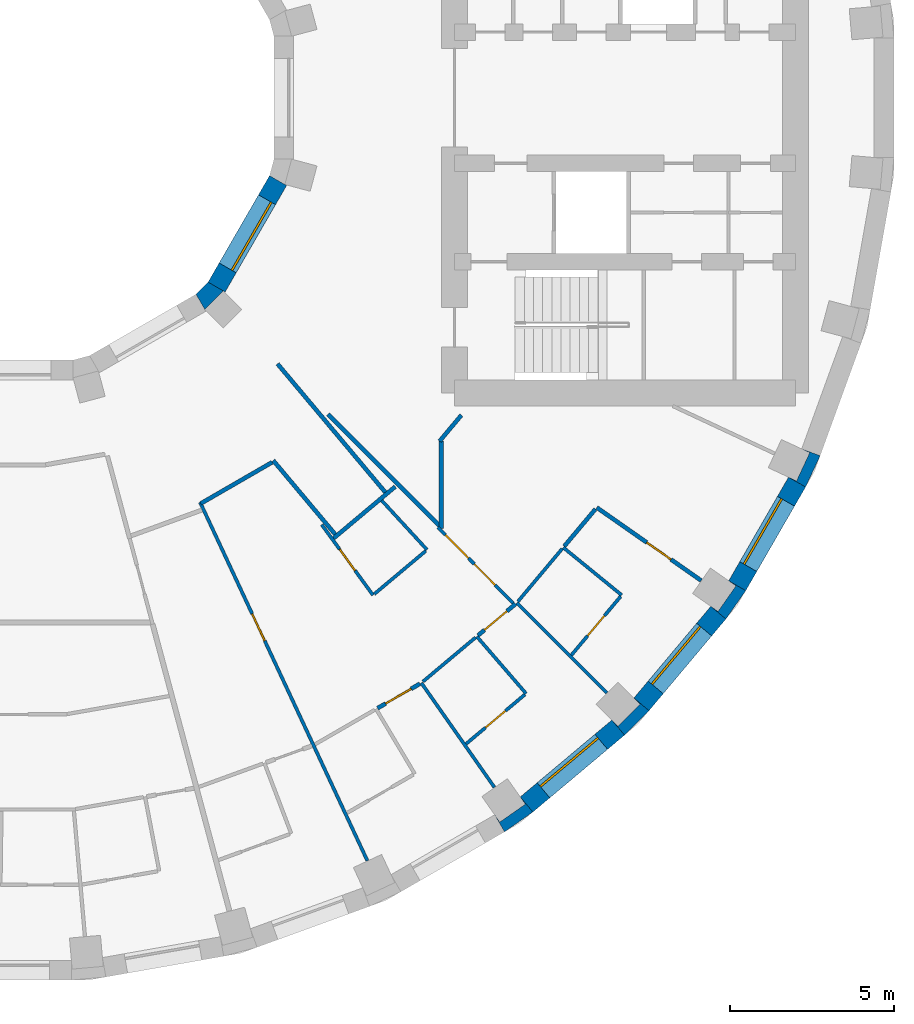
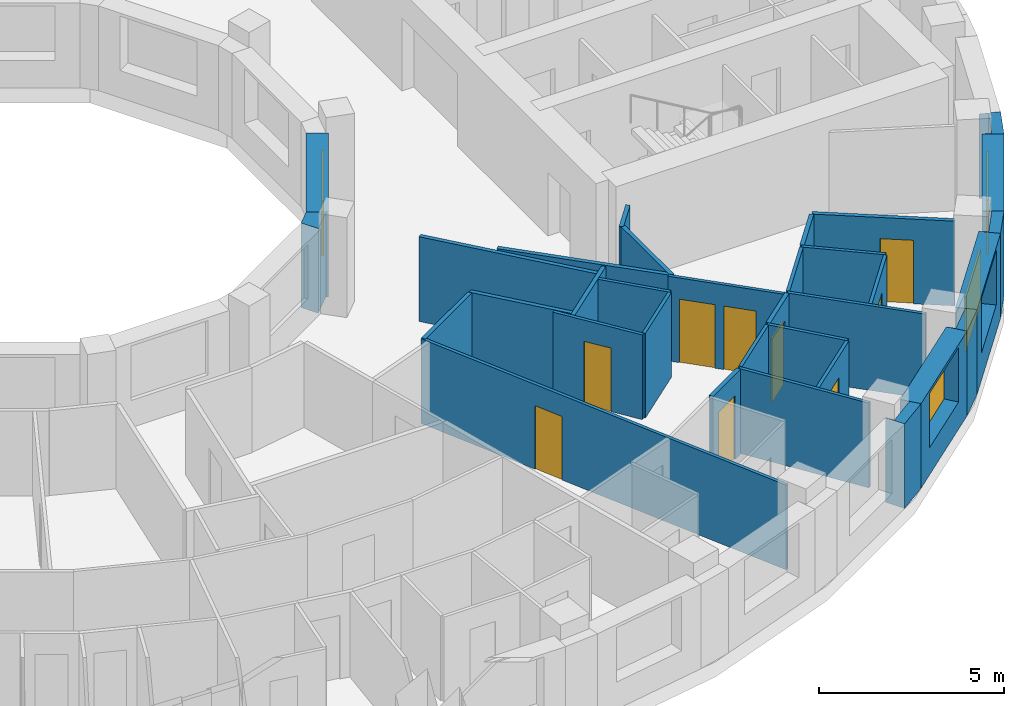
# One storey, part 8 of 16: 33 walls, 9 doors, 4 windows, 13 openings.
"""IFC4 building model written with IfcOpenShell, lengths in metres."""

from ifc_helpers import new_model, si_unit, direction, frame, frame_2d, origin, place, context, subcontext, project, spatial, polyline, rectangle, outline, extrude, material, layer, layer_set, type_object, element, fill, save


model = new_model("IFC4")

# Units and contexts
model_context = context("Model", 3, precision=1e-05, world=origin(), true_north=direction((0.0, 1.0)))
body_context = subcontext(model_context, "Body", "Model", "MODEL_VIEW")
ifc_project = project(units=[si_unit("LENGTHUNIT", "METRE"), si_unit("AREAUNIT", "SQUARE_METRE"), si_unit("VOLUMEUNIT", "CUBIC_METRE"), si_unit("PLANEANGLEUNIT", "RADIAN"), si_unit("MASSUNIT", "GRAM", prefix="KILO")], contexts=[model_context])

# Site, building, storey
site_placement = place(None, origin())
site = spatial("IfcSite", under=ifc_project, at=site_placement, CompositionType="ELEMENT")
building_placement = place(site_placement, origin())
building = spatial("IfcBuilding", under=site, at=building_placement, Name="Saqina Gate Tower", CompositionType="ELEMENT")
storey_placement = place(building_placement, frame((0.0, 0.0, 124.89990234375)))
storey = spatial("IfcBuildingStorey", under=building, at=storey_placement, Name="L35", CompositionType="ELEMENT", Elevation=124.89990234375)

# Walls
ifc_material_1 = material(Name="Brick masonry (buff)", Category="masonry")
wall_type_1 = type_object("IfcWallType", Name="BRICK PIER COPING BUFF", PredefinedType="SOLIDWALL", material=ifc_material_1)
wall_1_placement = place(storey_placement, origin())
element("IfcWall", 1, at=wall_1_placement, inside=storey, type_object=wall_type_1, Name="Pier cap L35 column 31", PredefinedType="SOLIDWALL", context=body_context, shape_type="SweptSolid", body=[
    extrude(outline(polyline([(15.89208984375, -21.77685546875), (15.50634765625, -21.317138671875), (15.66064453125, -21.53759765625), (14.88232421875, -22.08251953125), (14.728271484375, -21.862060546875), (15.0283203125, -22.3818359375), (15.89208984375, -21.77685546875)])), origin(), (0.0, 0.0, 1.0), 2.800048828125),
])
wall_2_placement = place(storey_placement, origin())
element("IfcWall", 2, at=wall_2_placement, inside=storey, type_object=wall_type_1, Name="Pier cap L35 column 32", PredefinedType="SOLIDWALL", context=body_context, shape_type="SweptSolid", body=[
    extrude(outline(polyline([(18.686279296875, -19.43212890625), (19.43212890625, -18.686279296875), (18.972412109375, -18.30078125), (19.16259765625, -18.49072265625), (18.49072265625, -19.16259765625), (18.30078125, -18.972412109375), (18.686279296875, -19.43212890625)])), origin(), (0.0, 0.0, 1.0), 2.800048828125),
])
wall_3_placement = place(storey_placement, origin())
element("IfcWall", 3, at=wall_3_placement, inside=storey, type_object=wall_type_1, Name="Pier cap L35 column 33", PredefinedType="SOLIDWALL", context=body_context, shape_type="SweptSolid", body=[
    extrude(outline(polyline([(22.3818359375, -15.0283203125), (21.862060546875, -14.728271484375), (22.08251953125, -14.88232421875), (21.53759765625, -15.66064453125), (21.317138671875, -15.50634765625), (21.77685546875, -15.89208984375), (22.3818359375, -15.0283203125)])), origin(), (0.0, 0.0, 1.0), 2.800048828125),
])
wall_4_placement = place(storey_placement, origin())
element("IfcWall", 4, at=wall_4_placement, inside=storey, type_object=wall_type_1, Name="Pier cap L35 column 34", PredefinedType="SOLIDWALL", context=body_context, shape_type="SweptSolid", body=[
    extrude(outline(polyline([(24.6513671875, -10.913330078125), (24.08740234375, -10.7080078125), (24.331298828125, -10.82177734375), (23.9296875, -11.6826171875), (23.68603515625, -11.569091796875), (24.205810546875, -11.869140625), (24.6513671875, -10.913330078125)])), origin(), (0.0, 0.0, 1.0), 2.800048828125),
])

# Wall, opening, window
ifc_material_2 = material(Name="Brick masonry (buff)", Category="masonry")
ifc_layer_1 = layer(ifc_material_2, 0.60009765625)
ifc_layer_set_1 = layer_set([ifc_layer_1], Name="FW-BRICK-BUFF")
wall_type_2 = type_object("IfcWallType", Name="FW-BRICK-BUFF", PredefinedType="SOLIDWALL", material=ifc_layer_set_1)
wall_5_placement = place(storey_placement, frame((15.69921875, -21.547119140625, 0.0), z_axis=(0.0, 0.0, 1.0), x_axis=(0.766055462616, 0.642774476932, 0.0)))
wall_5 = element("IfcWall", 5, at=wall_5_placement, inside=storey, type_object=wall_type_2, Name="Facade wall L35 facet 31", PredefinedType="SOLIDWALL", context=body_context, shape_type="SweptSolid", body=[
    extrude(rectangle(XDim=3.647705078125, YDim=0.60009765625, at=frame_2d((1.82373046875, 0.0))), origin(), (0.0, 0.0, 1.0), 2.800048828125),
])
opening_1_placement = place(wall_5_placement, frame((0.673828125, 0.0, 0.89990234375)))
opening_1 = element("IfcOpeningElement", 6, at=opening_1_placement, cuts=wall_5, Name="Opening G10-W20", PredefinedType="OPENING", context=body_context, shape_type="SweptSolid", body=[
    extrude(rectangle(XDim=2.300048828125, YDim=1.800048828125, at=frame_2d((1.14990234375, 0.89990234375))), frame((0.0, 0.31201171875, 0.0), z_axis=(0.0, -1.0, 0.0), x_axis=(1.0, 0.0, 0.0)), (0.0, 0.0, 1.0), 0.6240234375),
])
ifc_material_3 = material(Name="Aluminium glazing", Category="aluminium")
window_type_1 = type_object("IfcWindowType", Name="WN-B", PartitioningType="SINGLE_PANEL", PredefinedType="WINDOW", material=ifc_material_3)
window_1_placement = place(opening_1_placement, origin())
window_1 = element("IfcWindow", 7, at=window_1_placement, inside=storey, type_object=window_type_1, Name="Window L35 facet 31", OverallHeight=1.800048828125, OverallWidth=2.300048828125, PartitioningType="SINGLE_PANEL", PredefinedType="WINDOW", context=body_context, shape_type="SweptSolid", body=[
    extrude(rectangle(XDim=2.300048828125, YDim=1.800048828125, at=frame_2d((1.14990234375, 0.89990234375))), frame((0.0, 0.179931640625, 0.0), z_axis=(0.0, -1.0, 0.0), x_axis=(1.0, 0.0, 0.0)), (0.0, 0.0, 1.0), 0.06005859375),
])
fill(opening_1, window_1)

wall_6_placement = place(storey_placement, frame((19.202392578125, -18.49365234375, 0.0), z_axis=(0.0, 0.0, 1.0), x_axis=(0.642774476932, 0.766055462616, 0.0)))
wall_6 = element("IfcWall", 8, at=wall_6_placement, inside=storey, type_object=wall_type_2, Name="Facade wall L35 facet 32", PredefinedType="SOLIDWALL", context=body_context, shape_type="SweptSolid", body=[
    extrude(rectangle(XDim=3.647705078125, YDim=0.60009765625, at=frame_2d((1.82373046875, 0.0))), origin(), (0.0, 0.0, 1.0), 2.800048828125),
])
opening_2_placement = place(wall_6_placement, frame((0.673828125, 0.0, 0.89990234375)))
opening_2 = element("IfcOpeningElement", 9, at=opening_2_placement, cuts=wall_6, Name="Opening G10-W21", PredefinedType="OPENING", context=body_context, shape_type="SweptSolid", body=[
    extrude(rectangle(XDim=2.300048828125, YDim=1.800048828125, at=frame_2d((1.14990234375, 0.89990234375))), frame((0.0, 0.31201171875, 0.0), z_axis=(0.0, -1.0, 0.0), x_axis=(1.0, 0.0, 0.0)), (0.0, 0.0, 1.0), 0.6240234375),
])
window_2_placement = place(opening_2_placement, origin())
window_2 = element("IfcWindow", 10, at=window_2_placement, inside=storey, type_object=window_type_1, Name="Window L35 facet 32", OverallHeight=1.800048828125, OverallWidth=2.300048828125, PartitioningType="SINGLE_PANEL", PredefinedType="WINDOW", context=body_context, shape_type="SweptSolid", body=[
    extrude(rectangle(XDim=2.300048828125, YDim=1.800048828125, at=frame_2d((1.14990234375, 0.89990234375))), frame((0.0, 0.179931640625, 0.0), z_axis=(0.0, -1.0, 0.0), x_axis=(1.0, 0.0, 0.0)), (0.0, 0.0, 1.0), 0.06005859375),
])
fill(opening_2, window_2)

wall_7_placement = place(storey_placement, frame((22.1220703125, -14.878173828125, 0.0), z_axis=(0.0, 0.0, 1.0), x_axis=(0.499954196102, 0.866051847062, 0.0)))
wall_7 = element("IfcWall", 11, at=wall_7_placement, inside=storey, type_object=wall_type_2, Name="Facade wall L35 facet 33", PredefinedType="SOLIDWALL", context=body_context, shape_type="SweptSolid", body=[
    extrude(rectangle(XDim=3.647705078125, YDim=0.60009765625, at=frame_2d((1.82373046875, 0.0))), origin(), (0.0, 0.0, 1.0), 2.800048828125),
])
opening_3_placement = place(wall_7_placement, frame((0.673828125, 0.0, 0.89990234375)))
opening_3 = element("IfcOpeningElement", 12, at=opening_3_placement, cuts=wall_7, Name="Opening G10-W22", PredefinedType="OPENING", context=body_context, shape_type="SweptSolid", body=[
    extrude(rectangle(XDim=2.300048828125, YDim=1.800048828125, at=frame_2d((1.14990234375, 0.89990234375))), frame((0.0, 0.31201171875, 0.0), z_axis=(0.0, -1.0, 0.0), x_axis=(1.0, 0.0, 0.0)), (0.0, 0.0, 1.0), 0.6240234375),
])
window_3_placement = place(opening_3_placement, origin())
window_3 = element("IfcWindow", 13, at=window_3_placement, inside=storey, type_object=window_type_1, Name="Window L35 facet 33", OverallHeight=1.800048828125, OverallWidth=2.300048828125, PartitioningType="SINGLE_PANEL", PredefinedType="WINDOW", context=body_context, shape_type="SweptSolid", body=[
    extrude(rectangle(XDim=2.300048828125, YDim=1.800048828125, at=frame_2d((1.14990234375, 0.89990234375))), frame((0.0, 0.179931640625, 0.0), z_axis=(0.0, -1.0, 0.0), x_axis=(1.0, 0.0, 0.0)), (0.0, 0.0, 1.0), 0.06005859375),
])
fill(opening_3, window_3)

ifc_material_4 = material(Name="Glazed ceramic tile", Category="ceramic")
ifc_layer_2 = layer(ifc_material_4, 0.60009765625)
ifc_layer_set_2 = layer_set([ifc_layer_2], Name="IW-TILE")
wall_type_3 = type_object("IfcWallType", Name="IW-TILE", PredefinedType="SOLIDWALL", material=ifc_layer_set_2)
wall_8_placement = place(storey_placement, frame((6.251220703125, -5.772705078125, 0.0), z_axis=(0.0, 0.0, 1.0), x_axis=(0.499964958637, 0.86604563398, 0.0)))
wall_8 = element("IfcWall", 14, at=wall_8_placement, inside=storey, type_object=wall_type_3, Name="Well wall L35 facet 11", PredefinedType="SOLIDWALL", context=body_context, shape_type="SweptSolid", body=[
    extrude(rectangle(XDim=3.747314453125, YDim=0.60009765625, at=frame_2d((1.87353515625, 0.0))), origin(), (0.0, 0.0, 1.0), 2.800048828125),
])
opening_4_placement = place(wall_8_placement, frame((0.673583984375, 0.0, 0.89990234375)))
opening_4 = element("IfcOpeningElement", 15, at=opening_4_placement, cuts=wall_8, Name="Opening G10-W33", PredefinedType="OPENING", context=body_context, shape_type="SweptSolid", body=[
    extrude(rectangle(XDim=2.39990234375, YDim=1.800048828125, at=frame_2d((1.199951171875, 0.89990234375))), frame((0.0, 0.31201171875, 0.0), z_axis=(0.0, -1.0, 0.0), x_axis=(1.0, 0.0, 0.0)), (0.0, 0.0, 1.0), 0.6240234375),
])
ifc_material_5 = material(Name="Aluminium glazing", Category="aluminium")
window_type_2 = type_object("IfcWindowType", Name="WN-W", PartitioningType="SINGLE_PANEL", PredefinedType="WINDOW", material=ifc_material_5)
window_4_placement = place(opening_4_placement, origin())
window_4 = element("IfcWindow", 16, at=window_4_placement, inside=storey, type_object=window_type_2, Name="Well window L35 facet 11", OverallHeight=1.800048828125, OverallWidth=2.39990234375, PartitioningType="SINGLE_PANEL", PredefinedType="WINDOW", context=body_context, shape_type="SweptSolid", body=[
    extrude(rectangle(XDim=2.39990234375, YDim=1.800048828125, at=frame_2d((1.199951171875, 0.89990234375))), frame((0.0, -0.119873046875, 0.0), z_axis=(0.0, -1.0, 0.0), x_axis=(1.0, 0.0, 0.0)), (0.0, 0.0, 1.0), 0.06005859375),
])
fill(opening_4, window_4)

# Wall, opening, door
ifc_material_6 = material(Name="Gypsum board on steel studs, 100 mm", Category="steel")
ifc_layer_3 = layer(ifc_material_6, 0.10009765625)
ifc_layer_set_3 = layer_set([ifc_layer_3], Name="PARTITION 100")
wall_type_4 = type_object("IfcWallType", Name="PARTITION 100", PredefinedType="PARTITIONING", material=ifc_layer_set_3)
wall_9_placement = place(storey_placement, frame((5.74609375, -12.331298828125, 0.0), z_axis=(0.0, 0.0, 1.0), x_axis=(0.422888789848, -0.906181588547, 0.0)))
wall_9 = element("IfcWall", 17, at=wall_9_placement, inside=storey, type_object=wall_type_4, Name="PARTITION PW3-12", PredefinedType="PARTITIONING", context=body_context, shape_type="SweptSolid", body=[
    extrude(rectangle(XDim=12.060791015625, YDim=0.10009765625, at=frame_2d((6.0302734375, 0.0))), origin(), (0.0, 0.0, 1.0), 2.800048828125),
])
opening_5_placement = place(wall_9_placement, frame((3.760986328125, 0.0, 0.0)))
opening_5 = element("IfcOpeningElement", 18, at=opening_5_placement, cuts=wall_9, Name="Opening G10-D50", PredefinedType="OPENING", context=body_context, shape_type="SweptSolid", body=[
    extrude(rectangle(XDim=0.89990234375, YDim=2.10009765625, at=frame_2d((0.449951171875, 1.050048828125))), frame((0.0, 0.06201171875, 0.0), z_axis=(0.0, -1.0, 0.0), x_axis=(1.0, 0.0, 0.0)), (0.0, 0.0, 1.0), 0.1240234375),
])
ifc_material_7 = material(Name="Timber door leaf, 900 mm", Category="wood")
door_type_1 = type_object("IfcDoorType", Name="DOOR 900 TIMBER", OperationType="SINGLE_SWING_LEFT", PredefinedType="DOOR", material=ifc_material_7)
door_1_placement = place(opening_5_placement, origin())
door_1 = element("IfcDoor", 19, at=door_1_placement, inside=storey, type_object=door_type_1, Name="DOOR G10-D50", OperationType="SINGLE_SWING_LEFT", OverallHeight=2.10009765625, OverallWidth=0.89990234375, PredefinedType="DOOR", context=body_context, shape_type="SweptSolid", body=[
    extrude(rectangle(XDim=0.89990234375, YDim=2.10009765625, at=frame_2d((0.449951171875, 1.050048828125))), frame((0.0, 0.02490234375, 0.0), z_axis=(0.0, -1.0, 0.0), x_axis=(1.0, 0.0, 0.0)), (0.0, 0.0, 1.0), 0.050048828125),
])
fill(opening_5, door_1)

# Wall
wall_10_placement = place(storey_placement, frame((12.492919921875, -17.841064453125, 0.0), z_axis=(0.0, 0.0, 1.0), x_axis=(0.573453908861, -0.819237825306, 0.0)))
element("IfcWall", 20, at=wall_10_placement, inside=storey, type_object=wall_type_4, Name="PARTITION PW3-19", PredefinedType="PARTITIONING", context=body_context, shape_type="SweptSolid", body=[
    extrude(rectangle(XDim=3.884765625, YDim=0.10009765625, at=frame_2d((1.9423828125, 0.0))), origin(), (0.0, 0.0, 1.0), 2.800048828125),
])

# Wall, opening, door
wall_11_placement = place(storey_placement, frame((9.45703125, -13.01806640625, 0.0), z_axis=(0.0, 0.0, 1.0), x_axis=(0.588073257703, -0.808807667851, 0.0)))
wall_11 = element("IfcWall", 21, at=wall_11_placement, inside=storey, type_object=wall_type_4, Name="PARTITION PW3-20", PredefinedType="PARTITIONING", context=body_context, shape_type="SweptSolid", body=[
    extrude(rectangle(XDim=2.654541015625, YDim=0.10009765625, at=frame_2d((1.3271484375, 0.0))), origin(), (0.0, 0.0, 1.0), 2.800048828125),
])
opening_6_placement = place(wall_11_placement, frame((0.92724609375, 0.0, 0.0)))
opening_6 = element("IfcOpeningElement", 22, at=opening_6_placement, cuts=wall_11, Name="Opening G10-D53", PredefinedType="OPENING", context=body_context, shape_type="SweptSolid", body=[
    extrude(rectangle(XDim=0.800048828125, YDim=2.10009765625, at=frame_2d((0.39990234375, 1.050048828125))), frame((0.0, 0.06201171875, 0.0), z_axis=(0.0, -1.0, 0.0), x_axis=(1.0, 0.0, 0.0)), (0.0, 0.0, 1.0), 0.1240234375),
])
ifc_material_8 = material(Name="Timber door leaf, 800 mm", Category="wood")
door_type_2 = type_object("IfcDoorType", Name="DOOR 800 TIMBER", OperationType="SINGLE_SWING_LEFT", PredefinedType="DOOR", material=ifc_material_8)
door_2_placement = place(opening_6_placement, frame((0.800048828125, 0.0, 0.0), z_axis=(0.0, 0.0, 1.0), x_axis=(-1.0, 0.0, 0.0)))
door_2 = element("IfcDoor", 23, at=door_2_placement, inside=storey, type_object=door_type_2, Name="DOOR G10-D53", OperationType="SINGLE_SWING_RIGHT", OverallHeight=2.10009765625, OverallWidth=0.800048828125, PredefinedType="DOOR", context=body_context, shape_type="SweptSolid", body=[
    extrude(rectangle(XDim=0.800048828125, YDim=2.10009765625, at=frame_2d((0.39990234375, 1.050048828125))), frame((0.0, 0.02490234375, 0.0), z_axis=(0.0, -1.0, 0.0), x_axis=(1.0, 0.0, 0.0)), (0.0, 0.0, 1.0), 0.050048828125),
])
fill(opening_6, door_2)

# Walls
wall_12_placement = place(storey_placement, frame((14.181884765625, -16.424072265625, 0.0), z_axis=(0.0, 0.0, 1.0), x_axis=(0.653523142882, -0.756906534334, 0.0)))
element("IfcWall", 24, at=wall_12_placement, inside=storey, type_object=wall_type_4, Name="PARTITION PW3-23", PredefinedType="PARTITIONING", context=body_context, shape_type="SweptSolid", body=[
    extrude(rectangle(XDim=2.300048828125, YDim=0.10009765625, at=frame_2d((1.14990234375, 0.0))), origin(), (0.0, 0.0, 1.0), 2.800048828125),
])
wall_13_placement = place(storey_placement, frame((11.286376953125, -12.281005859375, 0.0), z_axis=(0.0, 0.0, 1.0), x_axis=(0.676742772151, -0.736219546291, 0.0)))
element("IfcWall", 25, at=wall_13_placement, inside=storey, type_object=wall_type_4, Name="PARTITION PW3-24", PredefinedType="PARTITIONING", context=body_context, shape_type="SweptSolid", body=[
    extrude(rectangle(XDim=2.0400390625, YDim=0.10009765625, at=frame_2d((1.02001953125, 0.0))), origin(), (0.0, 0.0, 1.0), 2.800048828125),
])

# Wall, openings, doors
wall_14_placement = place(storey_placement, frame((13.00048828125, -13.1015625, 0.0), z_axis=(0.0, 0.0, 1.0), x_axis=(0.704550545607, -0.70965380904, 0.0)))
wall_14 = element("IfcWall", 26, at=wall_14_placement, inside=storey, type_object=wall_type_4, Name="PARTITION PW3-25", PredefinedType="PARTITIONING", context=body_context, shape_type="SweptSolid", body=[
    extrude(rectangle(XDim=3.253173828125, YDim=0.10009765625, at=frame_2d((1.62646484375, 0.0))), origin(), (0.0, 0.0, 1.0), 2.800048828125),
])
opening_7_placement = place(wall_14_placement, frame((0.3203125, 0.0, 0.0)))
opening_7 = element("IfcOpeningElement", 27, at=opening_7_placement, cuts=wall_14, Name="Opening G10-D56", PredefinedType="OPENING", context=body_context, shape_type="SweptSolid", body=[
    extrude(rectangle(XDim=1.0, YDim=2.10009765625, at=frame_2d((0.5, 1.050048828125))), frame((0.0, 0.06201171875, 0.0), z_axis=(0.0, -1.0, 0.0), x_axis=(1.0, 0.0, 0.0)), (0.0, 0.0, 1.0), 0.1240234375),
])
opening_8_placement = place(wall_14_placement, frame((1.5703125, 0.0, 0.0)))
opening_8 = element("IfcOpeningElement", 28, at=opening_8_placement, cuts=wall_14, Name="Opening G10-D57", PredefinedType="OPENING", context=body_context, shape_type="SweptSolid", body=[
    extrude(rectangle(XDim=0.89990234375, YDim=2.10009765625, at=frame_2d((0.449951171875, 1.050048828125))), frame((0.0, 0.06201171875, 0.0), z_axis=(0.0, -1.0, 0.0), x_axis=(1.0, 0.0, 0.0)), (0.0, 0.0, 1.0), 0.1240234375),
])
ifc_material_9 = material(Name="Timber door leaf, 1000 mm", Category="wood")
door_type_3 = type_object("IfcDoorType", Name="DOOR 1000 TIMBER", OperationType="SINGLE_SWING_LEFT", PredefinedType="DOOR", material=ifc_material_9)
door_3_placement = place(opening_7_placement, origin())
door_3 = element("IfcDoor", 29, at=door_3_placement, inside=storey, type_object=door_type_3, Name="DOOR G10-D56", OperationType="SINGLE_SWING_LEFT", OverallHeight=2.10009765625, OverallWidth=1.0, PredefinedType="DOOR", context=body_context, shape_type="SweptSolid", body=[
    extrude(rectangle(XDim=1.0, YDim=2.10009765625, at=frame_2d((0.5, 1.050048828125))), frame((0.0, 0.02490234375, 0.0), z_axis=(0.0, -1.0, 0.0), x_axis=(1.0, 0.0, 0.0)), (0.0, 0.0, 1.0), 0.050048828125),
])
fill(opening_7, door_3)
door_4_placement = place(opening_8_placement, origin())
door_4 = element("IfcDoor", 30, at=door_4_placement, inside=storey, type_object=door_type_1, Name="DOOR G10-D57", OperationType="SINGLE_SWING_RIGHT", OverallHeight=2.10009765625, OverallWidth=0.89990234375, PredefinedType="DOOR", context=body_context, shape_type="SweptSolid", body=[
    extrude(rectangle(XDim=0.89990234375, YDim=2.10009765625, at=frame_2d((0.449951171875, 1.050048828125))), frame((0.0, 0.02490234375, 0.0), z_axis=(0.0, -1.0, 0.0), x_axis=(1.0, 0.0, 0.0)), (0.0, 0.0, 1.0), 0.050048828125),
])
fill(opening_8, door_4)

# Walls
wall_15_placement = place(storey_placement, frame((15.40087890625, -15.40087890625, 0.0), z_axis=(0.0, 0.0, 1.0), x_axis=(0.707106781187, -0.707106781187, 0.0)))
element("IfcWall", 31, at=wall_15_placement, inside=storey, type_object=wall_type_4, Name="PARTITION PW3-27", PredefinedType="PARTITIONING", context=body_context, shape_type="SweptSolid", body=[
    extrude(rectangle(XDim=3.885009765625, YDim=0.10009765625, at=frame_2d((1.9423828125, 0.0))), origin(), (0.0, 0.0, 1.0), 2.800048828125),
])
wall_16_placement = place(storey_placement, frame((16.818115234375, -13.7119140625, 0.0), z_axis=(0.0, 0.0, 1.0), x_axis=(0.775161826575, -0.63176272652, 0.0)))
element("IfcWall", 32, at=wall_16_placement, inside=storey, type_object=wall_type_4, Name="PARTITION PW3-31", PredefinedType="PARTITIONING", context=body_context, shape_type="SweptSolid", body=[
    extrude(rectangle(XDim=2.300048828125, YDim=0.10009765625, at=frame_2d((1.14990234375, 0.0))), origin(), (0.0, 0.0, 1.0), 2.800048828125),
])

# Wall, opening, door
wall_17_placement = place(storey_placement, frame((13.855224609375, -19.699951171875, 0.0), z_axis=(0.0, 0.0, 1.0), x_axis=(0.76611194323, 0.642707157608, 0.0)))
wall_17 = element("IfcWall", 33, at=wall_17_placement, inside=storey, type_object=wall_type_4, Name="PARTITION PW3-77", PredefinedType="PARTITIONING", context=body_context, shape_type="SweptSolid", body=[
    extrude(rectangle(XDim=2.33837890625, YDim=0.10009765625, at=frame_2d((1.169189453125, 0.0))), origin(), (0.0, 0.0, 1.0), 2.800048828125),
])
opening_9_placement = place(wall_17_placement, frame((0.76904296875, 0.0, 0.0)))
opening_9 = element("IfcOpeningElement", 34, at=opening_9_placement, cuts=wall_17, Name="Opening G10-D54", PredefinedType="OPENING", context=body_context, shape_type="SweptSolid", body=[
    extrude(rectangle(XDim=0.800048828125, YDim=2.10009765625, at=frame_2d((0.39990234375, 1.050048828125))), frame((0.0, 0.06201171875, 0.0), z_axis=(0.0, -1.0, 0.0), x_axis=(1.0, 0.0, 0.0)), (0.0, 0.0, 1.0), 0.1240234375),
])
door_5_placement = place(opening_9_placement, frame((0.800048828125, 0.0, 0.0), z_axis=(0.0, 0.0, 1.0), x_axis=(-1.0, 0.0, 0.0)))
door_5 = element("IfcDoor", 35, at=door_5_placement, inside=storey, type_object=door_type_2, Name="DOOR G10-D54", OperationType="SINGLE_SWING_RIGHT", OverallHeight=2.10009765625, OverallWidth=0.800048828125, PredefinedType="DOOR", context=body_context, shape_type="SweptSolid", body=[
    extrude(rectangle(XDim=0.800048828125, YDim=2.10009765625, at=frame_2d((0.39990234375, 1.050048828125))), frame((0.0, 0.02490234375, 0.0), z_axis=(0.0, -1.0, 0.0), x_axis=(1.0, 0.0, 0.0)), (0.0, 0.0, 1.0), 0.050048828125),
])
fill(opening_9, door_5)

# Walls
wall_18_placement = place(storey_placement, frame((12.540771484375, -17.80078125, 0.0), z_axis=(0.0, 0.0, 1.0), x_axis=(0.766132236748, 0.6426829668, 0.0)))
element("IfcWall", 36, at=wall_18_placement, inside=storey, type_object=wall_type_4, Name="PARTITION PW3-78", PredefinedType="PARTITIONING", context=body_context, shape_type="SweptSolid", body=[
    extrude(rectangle(XDim=2.09228515625, YDim=0.10009765625, at=frame_2d((1.046142578125, 0.0))), origin(), (0.0, 0.0, 1.0), 2.800048828125),
])
wall_19_placement = place(storey_placement, frame((11.056396484375, -15.1328125, 0.0), z_axis=(0.0, 0.0, 1.0), x_axis=(0.766442887367, 0.642312463217, 0.0)))
element("IfcWall", 37, at=wall_19_placement, inside=storey, type_object=wall_type_4, Name="PARTITION PW3-79", PredefinedType="PARTITIONING", context=body_context, shape_type="SweptSolid", body=[
    extrude(rectangle(XDim=2.05126953125, YDim=0.10009765625, at=frame_2d((1.025634765625, 0.0))), origin(), (0.0, 0.0, 1.0), 2.800048828125),
])

# Wall, opening, door
wall_20_placement = place(storey_placement, frame((17.065185546875, -16.99462890625, 0.0), z_axis=(0.0, 0.0, 1.0), x_axis=(0.642942337124, 0.765914584751, 0.0)))
wall_20 = element("IfcWall", 38, at=wall_20_placement, inside=storey, type_object=wall_type_4, Name="PARTITION PW3-84", PredefinedType="PARTITIONING", context=body_context, shape_type="SweptSolid", body=[
    extrude(rectangle(XDim=2.338623046875, YDim=0.10009765625, at=frame_2d((1.16943359375, 0.0))), origin(), (0.0, 0.0, 1.0), 2.800048828125),
])
opening_10_placement = place(wall_20_placement, frame((0.769287109375, 0.0, 0.0)))
opening_10 = element("IfcOpeningElement", 39, at=opening_10_placement, cuts=wall_20, Name="Opening G10-D58", PredefinedType="OPENING", context=body_context, shape_type="SweptSolid", body=[
    extrude(rectangle(XDim=0.800048828125, YDim=2.10009765625, at=frame_2d((0.39990234375, 1.050048828125))), frame((0.0, 0.06201171875, 0.0), z_axis=(0.0, -1.0, 0.0), x_axis=(1.0, 0.0, 0.0)), (0.0, 0.0, 1.0), 0.1240234375),
])
door_6_placement = place(opening_10_placement, frame((0.800048828125, 0.0, 0.0), z_axis=(0.0, 0.0, 1.0), x_axis=(-1.0, 0.0, 0.0)))
door_6 = element("IfcDoor", 40, at=door_6_placement, inside=storey, type_object=door_type_2, Name="DOOR G10-D58", OperationType="SINGLE_SWING_RIGHT", OverallHeight=2.10009765625, OverallWidth=0.800048828125, PredefinedType="DOOR", context=body_context, shape_type="SweptSolid", body=[
    extrude(rectangle(XDim=0.800048828125, YDim=2.10009765625, at=frame_2d((0.39990234375, 1.050048828125))), frame((0.0, 0.02490234375, 0.0), z_axis=(0.0, -1.0, 0.0), x_axis=(1.0, 0.0, 0.0)), (0.0, 0.0, 1.0), 0.050048828125),
])
fill(opening_10, door_6)

# Walls
wall_21_placement = place(storey_placement, frame((15.43408203125, -15.36181640625, 0.0), z_axis=(0.0, 0.0, 1.0), x_axis=(0.642658417854, 0.766152829376, 0.0)))
element("IfcWall", 41, at=wall_21_placement, inside=storey, type_object=wall_type_4, Name="PARTITION PW3-85", PredefinedType="PARTITIONING", context=body_context, shape_type="SweptSolid", body=[
    extrude(rectangle(XDim=2.103515625, YDim=0.10009765625, at=frame_2d((1.0517578125, 0.0))), origin(), (0.0, 0.0, 1.0), 2.800048828125),
])
ifc_material_10 = material(Name="Gypsum board on steel studs, 125 mm, fire rated", Category="steel")
ifc_layer_4 = layer(ifc_material_10, 0.125)
ifc_layer_set_4 = layer_set([ifc_layer_4], Name="PARTITION EI 30 125")
wall_type_5 = type_object("IfcWallType", Name="PARTITION EI 30 125", PredefinedType="PARTITIONING", material=ifc_layer_set_4)
wall_22_placement = place(storey_placement, frame((7.97705078125, -11.05908203125, 0.0), z_axis=(0.0, 0.0, 1.0), x_axis=(0.642755449711, -0.766071427393, 0.0)))
element("IfcWall", 42, at=wall_22_placement, inside=storey, type_object=wall_type_5, Name="PARTITION PW1-06", PredefinedType="PARTITIONING", context=body_context, shape_type="SweptSolid", body=[
    extrude(rectangle(XDim=2.93798828125, YDim=0.125, at=frame_2d((1.468994140625, 0.0))), origin(), (0.0, 0.0, 1.0), 2.800048828125),
])
wall_23_placement = place(storey_placement, frame((8.10888671875, -8.114990234375, 0.0), z_axis=(0.0, 0.0, 1.0), x_axis=(0.642822182591, -0.766015431678, 0.0)))
element("IfcWall", 43, at=wall_23_placement, inside=storey, type_object=wall_type_5, Name="PARTITION PW1-07", PredefinedType="PARTITIONING", context=body_context, shape_type="SweptSolid", body=[
    extrude(rectangle(XDim=5.10888671875, YDim=0.125, at=frame_2d((2.554443359375, 0.0))), origin(), (0.0, 0.0, 1.0), 2.800048828125),
])
wall_24_placement = place(storey_placement, frame((9.651123046875, -9.65283203125, 0.0), z_axis=(0.0, 0.0, 1.0), x_axis=(0.707386044222, -0.706827407816, 0.0)))
element("IfcWall", 44, at=wall_24_placement, inside=storey, type_object=wall_type_5, Name="PARTITION PW1-09", PredefinedType="PARTITIONING", context=body_context, shape_type="SweptSolid", body=[
    extrude(rectangle(XDim=4.807373046875, YDim=0.125, at=frame_2d((2.40380859375, 0.0))), origin(), (0.0, 0.0, 1.0), 2.800048828125),
])

# Wall, opening, door
wall_25_placement = place(storey_placement, frame((17.840576171875, -12.49365234375, 0.0), z_axis=(0.0, 0.0, 1.0), x_axis=(0.819367709334, -0.573268311439, 0.0)))
wall_25 = element("IfcWall", 45, at=wall_25_placement, inside=storey, type_object=wall_type_5, Name="PARTITION PW1-14", PredefinedType="PARTITIONING", context=body_context, shape_type="SweptSolid", body=[
    extrude(rectangle(XDim=3.884765625, YDim=0.125, at=frame_2d((1.9423828125, 0.0))), origin(), (0.0, 0.0, 1.0), 2.800048828125),
])
opening_11_placement = place(wall_25_placement, frame((1.859619140625, 0.0, 0.0)))
opening_11 = element("IfcOpeningElement", 46, at=opening_11_placement, cuts=wall_25, Name="Opening G10-D59", PredefinedType="OPENING", context=body_context, shape_type="SweptSolid", body=[
    extrude(rectangle(XDim=0.89990234375, YDim=2.10009765625, at=frame_2d((0.449951171875, 1.050048828125))), frame((0.0, 0.074462890625, 0.0), z_axis=(0.0, -1.0, 0.0), x_axis=(1.0, 0.0, 0.0)), (0.0, 0.0, 1.0), 0.14892578125),
])
ifc_material_11 = material(Name="Fire door leaf EI 30, 900 mm")
door_type_4 = type_object("IfcDoorType", Name="DOOR 900 EI 30", OperationType="SINGLE_SWING_LEFT", PredefinedType="DOOR", material=ifc_material_11)
door_7_placement = place(opening_11_placement, origin())
door_7 = element("IfcDoor", 47, at=door_7_placement, inside=storey, type_object=door_type_4, Name="DOOR G10-D59", OperationType="SINGLE_SWING_RIGHT", OverallHeight=2.10009765625, OverallWidth=0.89990234375, PredefinedType="DOOR", context=body_context, shape_type="SweptSolid", body=[
    extrude(rectangle(XDim=0.89990234375, YDim=2.10009765625, at=frame_2d((0.449951171875, 1.050048828125))), frame((0.0, 0.02490234375, 0.0), z_axis=(0.0, -1.0, 0.0), x_axis=(1.0, 0.0, 0.0)), (0.0, 0.0, 1.0), 0.050048828125),
])
fill(opening_11, door_7)

wall_26_placement = place(storey_placement, frame((11.1572265625, -18.612060546875, 0.0), z_axis=(0.0, 0.0, 1.0), x_axis=(0.866060276884, 0.499939593154, 0.0)))
wall_26 = element("IfcWall", 48, at=wall_26_placement, inside=storey, type_object=wall_type_5, Name="PARTITION PW1-39", PredefinedType="PARTITIONING", context=body_context, shape_type="SweptSolid", body=[
    extrude(rectangle(XDim=1.492431640625, YDim=0.125, at=frame_2d((0.74609375, 0.0))), origin(), (0.0, 0.0, 1.0), 2.800048828125),
])
opening_12_placement = place(wall_26_placement, frame((0.282958984375, 0.0, 0.0)))
opening_12 = element("IfcOpeningElement", 49, at=opening_12_placement, cuts=wall_26, Name="Opening G10-D52", PredefinedType="OPENING", context=body_context, shape_type="SweptSolid", body=[
    extrude(rectangle(XDim=0.89990234375, YDim=2.10009765625, at=frame_2d((0.449951171875, 1.050048828125))), frame((0.0, 0.074462890625, 0.0), z_axis=(0.0, -1.0, 0.0), x_axis=(1.0, 0.0, 0.0)), (0.0, 0.0, 1.0), 0.14892578125),
])
door_8_placement = place(opening_12_placement, origin())
door_8 = element("IfcDoor", 50, at=door_8_placement, inside=storey, type_object=door_type_4, Name="DOOR G10-D52", OperationType="SINGLE_SWING_RIGHT", OverallHeight=2.10009765625, OverallWidth=0.89990234375, PredefinedType="DOOR", context=body_context, shape_type="SweptSolid", body=[
    extrude(rectangle(XDim=0.89990234375, YDim=2.10009765625, at=frame_2d((0.449951171875, 1.050048828125))), frame((0.0, 0.02490234375, 0.0), z_axis=(0.0, -1.0, 0.0), x_axis=(1.0, 0.0, 0.0)), (0.0, 0.0, 1.0), 0.050048828125),
])
fill(opening_12, door_8)

# Wall
wall_27_placement = place(storey_placement, frame((5.76904296875, -12.37109375, 0.0), z_axis=(0.0, 0.0, 1.0), x_axis=(0.865838856669, 0.500322969973, 0.0)))
element("IfcWall", 51, at=wall_27_placement, inside=storey, type_object=wall_type_5, Name="PARTITION PW1-40", PredefinedType="PARTITIONING", context=body_context, shape_type="SweptSolid", body=[
    extrude(rectangle(XDim=2.510009765625, YDim=0.125, at=frame_2d((1.2548828125, 0.0))), origin(), (0.0, 0.0, 1.0), 2.800048828125),
])

# Wall, opening, door
wall_28_placement = place(storey_placement, frame((14.22021484375, -16.391845703125, 0.0), z_axis=(0.0, 0.0, 1.0), x_axis=(0.765994359698, 0.642847292062, 0.0)))
wall_28 = element("IfcWall", 52, at=wall_28_placement, inside=storey, type_object=wall_type_5, Name="PARTITION PW1-44", PredefinedType="PARTITIONING", context=body_context, shape_type="SweptSolid", body=[
    extrude(rectangle(XDim=1.494873046875, YDim=0.125, at=frame_2d((0.74755859375, 0.0))), origin(), (0.0, 0.0, 1.0), 2.800048828125),
])
opening_13_placement = place(wall_28_placement, frame((0.25341796875, 0.0, 0.0)))
opening_13 = element("IfcOpeningElement", 53, at=opening_13_placement, cuts=wall_28, Name="Opening G10-D55", PredefinedType="OPENING", context=body_context, shape_type="SweptSolid", body=[
    extrude(rectangle(XDim=0.89990234375, YDim=2.10009765625, at=frame_2d((0.449951171875, 1.050048828125))), frame((0.0, 0.074462890625, 0.0), z_axis=(0.0, -1.0, 0.0), x_axis=(1.0, 0.0, 0.0)), (0.0, 0.0, 1.0), 0.14892578125),
])
door_9_placement = place(opening_13_placement, origin())
door_9 = element("IfcDoor", 54, at=door_9_placement, inside=storey, type_object=door_type_4, Name="DOOR G10-D55", OperationType="SINGLE_SWING_RIGHT", OverallHeight=2.10009765625, OverallWidth=0.89990234375, PredefinedType="DOOR", context=body_context, shape_type="SweptSolid", body=[
    extrude(rectangle(XDim=0.89990234375, YDim=2.10009765625, at=frame_2d((0.449951171875, 1.050048828125))), frame((0.0, 0.02490234375, 0.0), z_axis=(0.0, -1.0, 0.0), x_axis=(1.0, 0.0, 0.0)), (0.0, 0.0, 1.0), 0.050048828125),
])
fill(opening_13, door_9)

# Walls
wall_29_placement = place(storey_placement, frame((9.81884765625, -13.430419921875, 0.0), z_axis=(0.0, 0.0, 1.0), x_axis=(0.76617412247, 0.642633032186, 0.0)))
element("IfcWall", 55, at=wall_29_placement, inside=storey, type_object=wall_type_5, Name="PARTITION PW1-45", PredefinedType="PARTITIONING", context=body_context, shape_type="SweptSolid", body=[
    extrude(rectangle(XDim=2.448486328125, YDim=0.125, at=frame_2d((1.22412109375, 0.0))), origin(), (0.0, 0.0, 1.0), 2.800048828125),
])
wall_30_placement = place(storey_placement, frame((16.85009765625, -13.673583984375, 0.0), z_axis=(0.0, 0.0, 1.0), x_axis=(0.642897241511, 0.765952437725, 0.0)))
element("IfcWall", 56, at=wall_30_placement, inside=storey, type_object=wall_type_5, Name="PARTITION PW1-50", PredefinedType="PARTITIONING", context=body_context, shape_type="SweptSolid", body=[
    extrude(rectangle(XDim=1.47607421875, YDim=0.125, at=frame_2d((0.738037109375, 0.0))), origin(), (0.0, 0.0, 1.0), 2.800048828125),
])
wall_31_placement = place(storey_placement, frame((13.04833984375, -10.470458984375, 0.0), z_axis=(0.0, 0.0, 1.0), x_axis=(0.642549676363, 0.766244029932, 0.0)))
element("IfcWall", 57, at=wall_31_placement, inside=storey, type_object=wall_type_5, Name="PARTITION PW1-51", PredefinedType="PARTITIONING", context=body_context, shape_type="SweptSolid", body=[
    extrude(rectangle(XDim=1.0341796875, YDim=0.125, at=frame_2d((0.51708984375, 0.0))), origin(), (0.0, 0.0, 1.0), 2.800048828125),
])
wall_32_placement = place(storey_placement, frame((13.10009765625, -13.130615234375, 0.0), z_axis=(0.0, 0.0, 1.0), x_axis=(0.0, 1.0, 0.0)))
element("IfcWall", 58, at=wall_32_placement, inside=storey, type_object=wall_type_5, Name="PARTITION PW1-58", PredefinedType="PARTITIONING", context=body_context, shape_type="SweptSolid", body=[
    extrude(rectangle(XDim=2.66015625, YDim=0.125, at=frame_2d((1.330078125, 0.0))), origin(), (0.0, 0.0, 1.0), 2.800048828125),
])
ifc_material_12 = material(Name="Glazed ceramic tile", Category="ceramic")
wall_type_6 = type_object("IfcWallType", Name="TILE PIER COPING", PredefinedType="SOLIDWALL", material=ifc_material_12)
wall_33_placement = place(storey_placement, origin())
element("IfcWall", 59, at=wall_33_placement, inside=storey, type_object=wall_type_6, Name="Well pier cap L35 column 11", PredefinedType="SOLIDWALL", context=body_context, shape_type="SweptSolid", body=[
    extrude(outline(polyline([(5.891845703125, -6.45751953125), (6.45751953125, -5.891845703125), (5.991455078125, -5.622802734375), (5.622802734375, -5.991455078125), (5.891845703125, -6.45751953125)])), origin(), (0.0, 0.0, 1.0), 2.800048828125),
])

save(model, "model.ifc")
